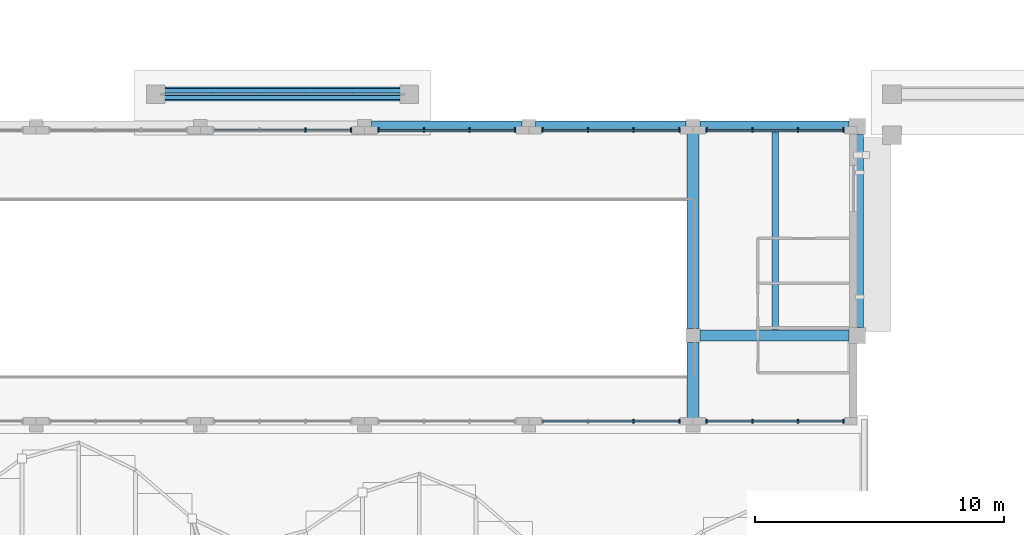
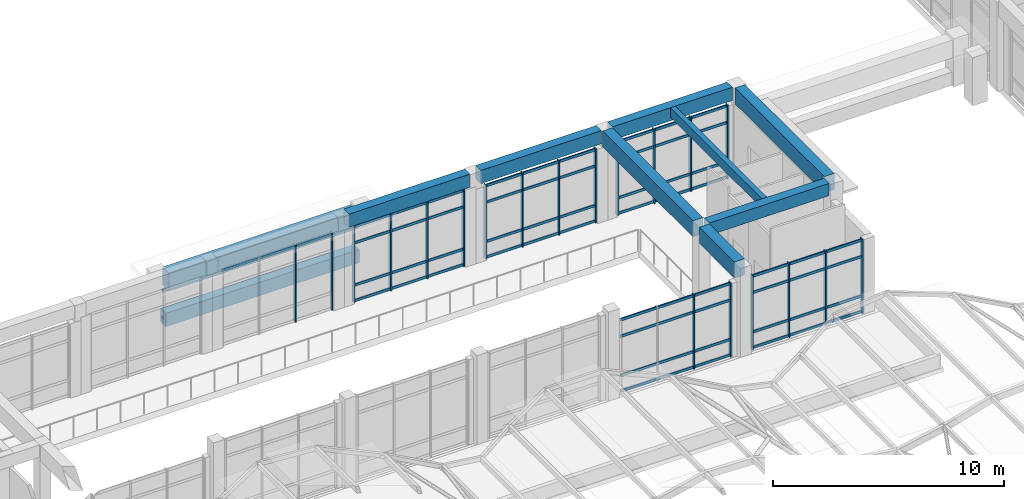
# One storey, part 22 of 79: 43 members, 10 beams, 6 elements without a shape of their own.
"""IFC4 building model written with IfcOpenShell, lengths in metres."""

from ifc_helpers import new_model, si_unit, direction, frame, origin, origin_2d, place, context, subcontext, project, spatial, rectangle, hollow_rectangle, extrude, material, layer, layer_set, material_profile, profile_set, type_object, element, aggregate, save


model = new_model("IFC4")

# Units and contexts
model_context = context("Model", 3, precision=1e-05, world=origin(), true_north=direction((0.0, 1.0)))
body_context = subcontext(model_context, "Body", "Model", "MODEL_VIEW")
ifc_project = project(units=[si_unit("LENGTHUNIT", "METRE"), si_unit("AREAUNIT", "SQUARE_METRE"), si_unit("VOLUMEUNIT", "CUBIC_METRE"), si_unit("PLANEANGLEUNIT", "RADIAN"), si_unit("MASSUNIT", "GRAM", prefix="KILO")], contexts=[model_context])

# Site, building, storey
site_placement = place(None, origin())
site = spatial("IfcSite", under=ifc_project, at=site_placement, CompositionType="ELEMENT")
building_placement = place(site_placement, origin())
building = spatial("IfcBuilding", under=site, at=building_placement, Name="Kolvaren Faculty of Natural Sciences", CompositionType="ELEMENT")
storey_placement = place(building_placement, frame((0.0, 0.0, 10.199951171875)))
storey = spatial("IfcBuildingStorey", under=building, at=storey_placement, Name="L02", CompositionType="ELEMENT", Elevation=10.199951171875)

# Curtain wall, members
ifc_material_1 = material(Name="Thermally broken anodised aluminium framing", Category="aluminium")
ifc_layer = layer(ifc_material_1, 0.179931640625)
ifc_layer_set = layer_set([ifc_layer], Name="Thermally broken anodised aluminium framing")
curtain_wall_type = type_object("IfcCurtainWallType", Name="AtriumCurtainWall_CW01", PredefinedType="NOTDEFINED", material=ifc_layer_set)
curtain_wall_1_placement = place(storey_placement, origin())
curtain_wall_1 = element("IfcCurtainWall", 1, at=curtain_wall_1_placement, inside=storey, type_object=curtain_wall_type, Name="L02 unitised curtain wall CW-01 (CW-L02-119)", PredefinedType="NOTDEFINED")
ifc_material_profile_1 = material_profile(ifc_material_1, rectangle(XDim=0.06005859375, YDim=0.179931640625, at=origin_2d()), Name="ALU MUL 60x180")
ifc_profile_set_1 = profile_set([ifc_material_profile_1], Name="Thermally broken anodised aluminium framing")
member_type_1 = type_object("IfcMemberType", Name="CurtainMullion_60x180", PredefinedType="MULLION", material=ifc_profile_set_1)
member_1_placement = place(storey_placement, frame((105.25, 72.35009765625, 0.0), z_axis=(0.0, 0.0, 1.0), x_axis=(-1.0, 0.0, 0.0)))
member_1 = element("IfcMember", 2, at=member_1_placement, type_object=member_type_1, Name="CW-L02-119 vertical mullion 1", PredefinedType="MULLION", context=body_context, shape_type="SweptSolid", body=[
    extrude(rectangle(XDim=0.06005859375, YDim=0.179931640625, at=origin_2d()), origin(), (0.0, 0.0, 1.0), 3.93505859375),
])
member_2_placement = place(storey_placement, frame((103.416748046875, 72.35009765625, 0.0), z_axis=(0.0, 0.0, 1.0), x_axis=(-1.0, 0.0, 0.0)))
member_2 = element("IfcMember", 3, at=member_2_placement, type_object=member_type_1, Name="CW-L02-119 vertical mullion 2", PredefinedType="MULLION", context=body_context, shape_type="SweptSolid", body=[
    extrude(rectangle(XDim=0.06005859375, YDim=0.179931640625, at=origin_2d()), origin(), (0.0, 0.0, 1.0), 3.93505859375),
])
member_3_placement = place(storey_placement, frame((101.583251953125, 72.35009765625, 0.0), z_axis=(0.0, 0.0, 1.0), x_axis=(-1.0, 0.0, 0.0)))
member_3 = element("IfcMember", 4, at=member_3_placement, type_object=member_type_1, Name="CW-L02-119 vertical mullion 3", PredefinedType="MULLION", context=body_context, shape_type="SweptSolid", body=[
    extrude(rectangle(XDim=0.06005859375, YDim=0.179931640625, at=origin_2d()), origin(), (0.0, 0.0, 1.0), 3.93505859375),
])
member_4_placement = place(storey_placement, frame((99.75, 72.35009765625, 0.0), z_axis=(0.0, 0.0, 1.0), x_axis=(-1.0, 0.0, 0.0)))
member_4 = element("IfcMember", 5, at=member_4_placement, type_object=member_type_1, Name="CW-L02-119 vertical mullion 4", PredefinedType="MULLION", context=body_context, shape_type="SweptSolid", body=[
    extrude(rectangle(XDim=0.06005859375, YDim=0.179931640625, at=origin_2d()), origin(), (0.0, 0.0, 1.0), 3.93505859375),
])

curtain_wall_2_placement = place(storey_placement, origin())
curtain_wall_2 = element("IfcCurtainWall", 6, at=curtain_wall_2_placement, inside=storey, type_object=curtain_wall_type, Name="L02 unitised curtain wall CW-01 (CW-L02-120)", PredefinedType="NOTDEFINED")
member_5_placement = place(storey_placement, frame((98.64990234375, 72.35009765625, 0.0), z_axis=(0.0, 0.0, 1.0), x_axis=(-1.0, 0.0, 0.0)))
member_5 = element("IfcMember", 7, at=member_5_placement, type_object=member_type_1, Name="CW-L02-120 vertical mullion 1", PredefinedType="MULLION", context=body_context, shape_type="SweptSolid", body=[
    extrude(rectangle(XDim=0.06005859375, YDim=0.179931640625, at=origin_2d()), origin(), (0.0, 0.0, 1.0), 3.93505859375),
])
member_6_placement = place(storey_placement, frame((96.816650390625, 72.35009765625, 0.0), z_axis=(0.0, 0.0, 1.0), x_axis=(-1.0, 0.0, 0.0)))
member_6 = element("IfcMember", 8, at=member_6_placement, type_object=member_type_1, Name="CW-L02-120 vertical mullion 2", PredefinedType="MULLION", context=body_context, shape_type="SweptSolid", body=[
    extrude(rectangle(XDim=0.06005859375, YDim=0.179931640625, at=origin_2d()), origin(), (0.0, 0.0, 1.0), 3.93505859375),
])

curtain_wall_3_placement = place(storey_placement, origin())
curtain_wall_3 = element("IfcCurtainWall", 9, at=curtain_wall_3_placement, inside=storey, type_object=curtain_wall_type, Name="L02 unitised curtain wall CW-01 (CW-L02-129)", PredefinedType="NOTDEFINED")
member_7_placement = place(storey_placement, frame((83.61669921875, 84.050048828125, 0.0), z_axis=(0.0, 0.0, 1.0), x_axis=(1.0, 0.0, 0.0)))
member_7 = element("IfcMember", 10, at=member_7_placement, type_object=member_type_1, Name="CW-L02-129 vertical mullion 3", PredefinedType="MULLION", context=body_context, shape_type="SweptSolid", body=[
    extrude(rectangle(XDim=0.06005859375, YDim=0.179931640625, at=origin_2d()), origin(), (0.0, 0.0, 1.0), 4.0849609375),
])
member_8_placement = place(storey_placement, frame((85.449951171875, 84.050048828125, 0.0), z_axis=(0.0, 0.0, 1.0), x_axis=(1.0, 0.0, 0.0)))
member_8 = element("IfcMember", 11, at=member_8_placement, type_object=member_type_1, Name="CW-L02-129 vertical mullion 4", PredefinedType="MULLION", context=body_context, shape_type="SweptSolid", body=[
    extrude(rectangle(XDim=0.06005859375, YDim=0.179931640625, at=origin_2d()), origin(), (0.0, 0.0, 1.0), 4.0849609375),
])

curtain_wall_4_placement = place(storey_placement, origin())
curtain_wall_4 = element("IfcCurtainWall", 12, at=curtain_wall_4_placement, inside=storey, type_object=curtain_wall_type, Name="L02 unitised curtain wall CW-01 (CW-L02-130)", PredefinedType="NOTDEFINED")
member_9_placement = place(storey_placement, frame((86.550048828125, 84.050048828125, 0.0), z_axis=(0.0, 0.0, 1.0), x_axis=(1.0, 0.0, 0.0)))
member_9 = element("IfcMember", 13, at=member_9_placement, type_object=member_type_1, Name="CW-L02-130 vertical mullion 1", PredefinedType="MULLION", context=body_context, shape_type="SweptSolid", body=[
    extrude(rectangle(XDim=0.06005859375, YDim=0.179931640625, at=origin_2d()), origin(), (0.0, 0.0, 1.0), 4.0849609375),
])
member_10_placement = place(storey_placement, frame((88.38330078125, 84.050048828125, 0.0), z_axis=(0.0, 0.0, 1.0), x_axis=(1.0, 0.0, 0.0)))
member_10 = element("IfcMember", 14, at=member_10_placement, type_object=member_type_1, Name="CW-L02-130 vertical mullion 2", PredefinedType="MULLION", context=body_context, shape_type="SweptSolid", body=[
    extrude(rectangle(XDim=0.06005859375, YDim=0.179931640625, at=origin_2d()), origin(), (0.0, 0.0, 1.0), 4.0849609375),
])
member_11_placement = place(storey_placement, frame((90.216796875, 84.050048828125, 0.0), z_axis=(0.0, 0.0, 1.0), x_axis=(1.0, 0.0, 0.0)))
member_11 = element("IfcMember", 15, at=member_11_placement, type_object=member_type_1, Name="CW-L02-130 vertical mullion 3", PredefinedType="MULLION", context=body_context, shape_type="SweptSolid", body=[
    extrude(rectangle(XDim=0.06005859375, YDim=0.179931640625, at=origin_2d()), origin(), (0.0, 0.0, 1.0), 4.0849609375),
])
member_12_placement = place(storey_placement, frame((92.050048828125, 84.050048828125, 0.0), z_axis=(0.0, 0.0, 1.0), x_axis=(1.0, 0.0, 0.0)))
member_12 = element("IfcMember", 16, at=member_12_placement, type_object=member_type_1, Name="CW-L02-130 vertical mullion 4", PredefinedType="MULLION", context=body_context, shape_type="SweptSolid", body=[
    extrude(rectangle(XDim=0.06005859375, YDim=0.179931640625, at=origin_2d()), origin(), (0.0, 0.0, 1.0), 4.0849609375),
])

curtain_wall_5_placement = place(storey_placement, origin())
curtain_wall_5 = element("IfcCurtainWall", 17, at=curtain_wall_5_placement, inside=storey, type_object=curtain_wall_type, Name="L02 unitised curtain wall CW-01 (CW-L02-131)", PredefinedType="NOTDEFINED")
member_13_placement = place(storey_placement, frame((93.14990234375, 84.050048828125, 0.0), z_axis=(0.0, 0.0, 1.0), x_axis=(1.0, 0.0, 0.0)))
member_13 = element("IfcMember", 18, at=member_13_placement, type_object=member_type_1, Name="CW-L02-131 vertical mullion 1", PredefinedType="MULLION", context=body_context, shape_type="SweptSolid", body=[
    extrude(rectangle(XDim=0.06005859375, YDim=0.179931640625, at=origin_2d()), origin(), (0.0, 0.0, 1.0), 3.93505859375),
])
member_14_placement = place(storey_placement, frame((94.9833984375, 84.050048828125, 0.0), z_axis=(0.0, 0.0, 1.0), x_axis=(1.0, 0.0, 0.0)))
member_14 = element("IfcMember", 19, at=member_14_placement, type_object=member_type_1, Name="CW-L02-131 vertical mullion 2", PredefinedType="MULLION", context=body_context, shape_type="SweptSolid", body=[
    extrude(rectangle(XDim=0.06005859375, YDim=0.179931640625, at=origin_2d()), origin(), (0.0, 0.0, 1.0), 3.93505859375),
])
member_15_placement = place(storey_placement, frame((96.816650390625, 84.050048828125, 0.0), z_axis=(0.0, 0.0, 1.0), x_axis=(1.0, 0.0, 0.0)))
member_15 = element("IfcMember", 20, at=member_15_placement, type_object=member_type_1, Name="CW-L02-131 vertical mullion 3", PredefinedType="MULLION", context=body_context, shape_type="SweptSolid", body=[
    extrude(rectangle(XDim=0.06005859375, YDim=0.179931640625, at=origin_2d()), origin(), (0.0, 0.0, 1.0), 3.93505859375),
])
member_16_placement = place(storey_placement, frame((98.64990234375, 84.050048828125, 0.0), z_axis=(0.0, 0.0, 1.0), x_axis=(1.0, 0.0, 0.0)))
member_16 = element("IfcMember", 21, at=member_16_placement, type_object=member_type_1, Name="CW-L02-131 vertical mullion 4", PredefinedType="MULLION", context=body_context, shape_type="SweptSolid", body=[
    extrude(rectangle(XDim=0.06005859375, YDim=0.179931640625, at=origin_2d()), origin(), (0.0, 0.0, 1.0), 3.93505859375),
])

curtain_wall_6_placement = place(storey_placement, origin())
curtain_wall_6 = element("IfcCurtainWall", 22, at=curtain_wall_6_placement, inside=storey, type_object=curtain_wall_type, Name="L02 unitised curtain wall CW-01 (CW-L02-132)", PredefinedType="NOTDEFINED")
member_17_placement = place(storey_placement, frame((99.75, 84.050048828125, 0.0), z_axis=(0.0, 0.0, 1.0), x_axis=(1.0, 0.0, 0.0)))
member_17 = element("IfcMember", 23, at=member_17_placement, type_object=member_type_1, Name="CW-L02-132 vertical mullion 1", PredefinedType="MULLION", context=body_context, shape_type="SweptSolid", body=[
    extrude(rectangle(XDim=0.06005859375, YDim=0.179931640625, at=origin_2d()), origin(), (0.0, 0.0, 1.0), 3.93505859375),
])
member_18_placement = place(storey_placement, frame((101.583251953125, 84.050048828125, 0.0), z_axis=(0.0, 0.0, 1.0), x_axis=(1.0, 0.0, 0.0)))
member_18 = element("IfcMember", 24, at=member_18_placement, type_object=member_type_1, Name="CW-L02-132 vertical mullion 2", PredefinedType="MULLION", context=body_context, shape_type="SweptSolid", body=[
    extrude(rectangle(XDim=0.06005859375, YDim=0.179931640625, at=origin_2d()), origin(), (0.0, 0.0, 1.0), 3.93505859375),
])
member_19_placement = place(storey_placement, frame((103.416748046875, 84.050048828125, 0.0), z_axis=(0.0, 0.0, 1.0), x_axis=(1.0, 0.0, 0.0)))
member_19 = element("IfcMember", 25, at=member_19_placement, type_object=member_type_1, Name="CW-L02-132 vertical mullion 3", PredefinedType="MULLION", context=body_context, shape_type="SweptSolid", body=[
    extrude(rectangle(XDim=0.06005859375, YDim=0.179931640625, at=origin_2d()), origin(), (0.0, 0.0, 1.0), 3.93505859375),
])
member_20_placement = place(storey_placement, frame((105.25, 84.050048828125, 0.0), z_axis=(0.0, 0.0, 1.0), x_axis=(1.0, 0.0, 0.0)))
member_20 = element("IfcMember", 26, at=member_20_placement, type_object=member_type_1, Name="CW-L02-132 vertical mullion 4", PredefinedType="MULLION", context=body_context, shape_type="SweptSolid", body=[
    extrude(rectangle(XDim=0.06005859375, YDim=0.179931640625, at=origin_2d()), origin(), (0.0, 0.0, 1.0), 3.93505859375),
])

# Member
ifc_material_profile_2 = material_profile(ifc_material_1, rectangle(XDim=0.06005859375, YDim=0.139892578125, at=origin_2d()), Name="ALU TRN 60x140")
ifc_profile_set_2 = profile_set([ifc_material_profile_2], Name="Thermally broken anodised aluminium framing")
member_type_2 = type_object("IfcMemberType", Name="CurtainTransom_60x140", PredefinedType="USERDEFINED", material=ifc_profile_set_2)
member_21_placement = place(storey_placement, frame((105.25, 72.35009765625, 0.080078125), z_axis=(-1.0, 0.0, 0.0), x_axis=(0.0, -1.0, 0.0)))
member_21 = element("IfcMember", 27, at=member_21_placement, type_object=member_type_2, Name="CW-L02-119 horizontal transom 1", ObjectType="TRANSOM", PredefinedType="USERDEFINED", context=body_context, shape_type="SweptSolid", body=[
    extrude(rectangle(XDim=0.06005859375, YDim=0.139892578125, at=origin_2d()), origin(), (0.0, 0.0, 1.0), 5.5),
])

member_22_placement = place(storey_placement, frame((105.25, 72.35009765625, 0.900146484375), z_axis=(-1.0, 0.0, 0.0), x_axis=(0.0, -1.0, 0.0)))
member_22 = element("IfcMember", 28, at=member_22_placement, type_object=member_type_2, Name="CW-L02-119 horizontal transom 2", ObjectType="TRANSOM", PredefinedType="USERDEFINED", context=body_context, shape_type="SweptSolid", body=[
    extrude(rectangle(XDim=0.06005859375, YDim=0.139892578125, at=origin_2d()), origin(), (0.0, 0.0, 1.0), 5.5),
])

member_23_placement = place(storey_placement, frame((105.25, 72.35009765625, 2.985107421875), z_axis=(-1.0, 0.0, 0.0), x_axis=(0.0, -1.0, 0.0)))
member_23 = element("IfcMember", 29, at=member_23_placement, type_object=member_type_2, Name="CW-L02-119 horizontal transom 3", ObjectType="TRANSOM", PredefinedType="USERDEFINED", context=body_context, shape_type="SweptSolid", body=[
    extrude(rectangle(XDim=0.06005859375, YDim=0.139892578125, at=origin_2d()), origin(), (0.0, 0.0, 1.0), 5.5),
])

member_24_placement = place(storey_placement, frame((105.25, 72.35009765625, 3.85498046875), z_axis=(-1.0, 0.0, 0.0), x_axis=(0.0, -1.0, 0.0)))
member_24 = element("IfcMember", 30, at=member_24_placement, type_object=member_type_2, Name="CW-L02-119 horizontal transom 4", ObjectType="TRANSOM", PredefinedType="USERDEFINED", context=body_context, shape_type="SweptSolid", body=[
    extrude(rectangle(XDim=0.06005859375, YDim=0.139892578125, at=origin_2d()), origin(), (0.0, 0.0, 1.0), 5.5),
])

aggregate(curtain_wall_1, [member_1, member_2, member_3, member_4, member_21, member_22, member_23, member_24])

member_25_placement = place(storey_placement, frame((98.64990234375, 72.35009765625, 0.080078125), z_axis=(-1.0, 0.0, 0.0), x_axis=(0.0, -1.0, 0.0)))
member_25 = element("IfcMember", 31, at=member_25_placement, type_object=member_type_2, Name="CW-L02-120 horizontal transom 1", ObjectType="TRANSOM", PredefinedType="USERDEFINED", context=body_context, shape_type="SweptSolid", body=[
    extrude(rectangle(XDim=0.06005859375, YDim=0.139892578125, at=origin_2d()), origin(), (0.0, 0.0, 1.0), 5.5),
])

member_26_placement = place(storey_placement, frame((98.64990234375, 72.35009765625, 0.900146484375), z_axis=(-1.0, 0.0, 0.0), x_axis=(0.0, -1.0, 0.0)))
member_26 = element("IfcMember", 32, at=member_26_placement, type_object=member_type_2, Name="CW-L02-120 horizontal transom 2", ObjectType="TRANSOM", PredefinedType="USERDEFINED", context=body_context, shape_type="SweptSolid", body=[
    extrude(rectangle(XDim=0.06005859375, YDim=0.139892578125, at=origin_2d()), origin(), (0.0, 0.0, 1.0), 5.5),
])

member_27_placement = place(storey_placement, frame((98.64990234375, 72.35009765625, 2.985107421875), z_axis=(-1.0, 0.0, 0.0), x_axis=(0.0, -1.0, 0.0)))
member_27 = element("IfcMember", 33, at=member_27_placement, type_object=member_type_2, Name="CW-L02-120 horizontal transom 3", ObjectType="TRANSOM", PredefinedType="USERDEFINED", context=body_context, shape_type="SweptSolid", body=[
    extrude(rectangle(XDim=0.06005859375, YDim=0.139892578125, at=origin_2d()), origin(), (0.0, 0.0, 1.0), 5.5),
])

member_28_placement = place(storey_placement, frame((98.64990234375, 72.35009765625, 3.85498046875), z_axis=(-1.0, 0.0, 0.0), x_axis=(0.0, -1.0, 0.0)))
member_28 = element("IfcMember", 34, at=member_28_placement, type_object=member_type_2, Name="CW-L02-120 horizontal transom 4", ObjectType="TRANSOM", PredefinedType="USERDEFINED", context=body_context, shape_type="SweptSolid", body=[
    extrude(rectangle(XDim=0.06005859375, YDim=0.139892578125, at=origin_2d()), origin(), (0.0, 0.0, 1.0), 5.5),
])

aggregate(curtain_wall_2, [member_5, member_6, member_25, member_26, member_27, member_28])

member_29_placement = place(storey_placement, frame((79.949951171875, 84.050048828125, 4.005126953125), z_axis=(1.0, 0.0, 0.0), x_axis=(0.0, 1.0, 0.0)))
member_29 = element("IfcMember", 35, at=member_29_placement, type_object=member_type_2, Name="CW-L02-129 horizontal transom 4", ObjectType="TRANSOM", PredefinedType="USERDEFINED", context=body_context, shape_type="SweptSolid", body=[
    extrude(rectangle(XDim=0.06005859375, YDim=0.139892578125, at=origin_2d()), origin(), (0.0, 0.0, 1.0), 5.5),
])

aggregate(curtain_wall_3, [member_7, member_8, member_29])

member_30_placement = place(storey_placement, frame((86.550048828125, 84.050048828125, 0.080078125), z_axis=(1.0, 0.0, 0.0), x_axis=(0.0, 1.0, 0.0)))
member_30 = element("IfcMember", 36, at=member_30_placement, type_object=member_type_2, Name="CW-L02-130 horizontal transom 1", ObjectType="TRANSOM", PredefinedType="USERDEFINED", context=body_context, shape_type="SweptSolid", body=[
    extrude(rectangle(XDim=0.06005859375, YDim=0.139892578125, at=origin_2d()), origin(), (0.0, 0.0, 1.0), 5.5),
])

member_31_placement = place(storey_placement, frame((86.550048828125, 84.050048828125, 0.900146484375), z_axis=(1.0, 0.0, 0.0), x_axis=(0.0, 1.0, 0.0)))
member_31 = element("IfcMember", 37, at=member_31_placement, type_object=member_type_2, Name="CW-L02-130 horizontal transom 2", ObjectType="TRANSOM", PredefinedType="USERDEFINED", context=body_context, shape_type="SweptSolid", body=[
    extrude(rectangle(XDim=0.06005859375, YDim=0.139892578125, at=origin_2d()), origin(), (0.0, 0.0, 1.0), 5.5),
])

member_32_placement = place(storey_placement, frame((86.550048828125, 84.050048828125, 3.135009765625), z_axis=(1.0, 0.0, 0.0), x_axis=(0.0, 1.0, 0.0)))
member_32 = element("IfcMember", 38, at=member_32_placement, type_object=member_type_2, Name="CW-L02-130 horizontal transom 3", ObjectType="TRANSOM", PredefinedType="USERDEFINED", context=body_context, shape_type="SweptSolid", body=[
    extrude(rectangle(XDim=0.06005859375, YDim=0.139892578125, at=origin_2d()), origin(), (0.0, 0.0, 1.0), 5.5),
])

member_33_placement = place(storey_placement, frame((86.550048828125, 84.050048828125, 4.005126953125), z_axis=(1.0, 0.0, 0.0), x_axis=(0.0, 1.0, 0.0)))
member_33 = element("IfcMember", 39, at=member_33_placement, type_object=member_type_2, Name="CW-L02-130 horizontal transom 4", ObjectType="TRANSOM", PredefinedType="USERDEFINED", context=body_context, shape_type="SweptSolid", body=[
    extrude(rectangle(XDim=0.06005859375, YDim=0.139892578125, at=origin_2d()), origin(), (0.0, 0.0, 1.0), 5.5),
])

aggregate(curtain_wall_4, [member_9, member_10, member_11, member_12, member_30, member_31, member_32, member_33])

member_34_placement = place(storey_placement, frame((93.14990234375, 84.050048828125, 0.080078125), z_axis=(1.0, 0.0, 0.0), x_axis=(0.0, 1.0, 0.0)))
member_34 = element("IfcMember", 40, at=member_34_placement, type_object=member_type_2, Name="CW-L02-131 horizontal transom 1", ObjectType="TRANSOM", PredefinedType="USERDEFINED", context=body_context, shape_type="SweptSolid", body=[
    extrude(rectangle(XDim=0.06005859375, YDim=0.139892578125, at=origin_2d()), origin(), (0.0, 0.0, 1.0), 5.5),
])

member_35_placement = place(storey_placement, frame((93.14990234375, 84.050048828125, 0.900146484375), z_axis=(1.0, 0.0, 0.0), x_axis=(0.0, 1.0, 0.0)))
member_35 = element("IfcMember", 41, at=member_35_placement, type_object=member_type_2, Name="CW-L02-131 horizontal transom 2", ObjectType="TRANSOM", PredefinedType="USERDEFINED", context=body_context, shape_type="SweptSolid", body=[
    extrude(rectangle(XDim=0.06005859375, YDim=0.139892578125, at=origin_2d()), origin(), (0.0, 0.0, 1.0), 5.5),
])

member_36_placement = place(storey_placement, frame((93.14990234375, 84.050048828125, 2.985107421875), z_axis=(1.0, 0.0, 0.0), x_axis=(0.0, 1.0, 0.0)))
member_36 = element("IfcMember", 42, at=member_36_placement, type_object=member_type_2, Name="CW-L02-131 horizontal transom 3", ObjectType="TRANSOM", PredefinedType="USERDEFINED", context=body_context, shape_type="SweptSolid", body=[
    extrude(rectangle(XDim=0.06005859375, YDim=0.139892578125, at=origin_2d()), origin(), (0.0, 0.0, 1.0), 5.5),
])

member_37_placement = place(storey_placement, frame((93.14990234375, 84.050048828125, 3.85498046875), z_axis=(1.0, 0.0, 0.0), x_axis=(0.0, 1.0, 0.0)))
member_37 = element("IfcMember", 43, at=member_37_placement, type_object=member_type_2, Name="CW-L02-131 horizontal transom 4", ObjectType="TRANSOM", PredefinedType="USERDEFINED", context=body_context, shape_type="SweptSolid", body=[
    extrude(rectangle(XDim=0.06005859375, YDim=0.139892578125, at=origin_2d()), origin(), (0.0, 0.0, 1.0), 5.5),
])

aggregate(curtain_wall_5, [member_13, member_14, member_15, member_16, member_34, member_35, member_36, member_37])

member_38_placement = place(storey_placement, frame((99.75, 84.050048828125, 0.080078125), z_axis=(1.0, 0.0, 0.0), x_axis=(0.0, 1.0, 0.0)))
member_38 = element("IfcMember", 44, at=member_38_placement, type_object=member_type_2, Name="CW-L02-132 horizontal transom 1", ObjectType="TRANSOM", PredefinedType="USERDEFINED", context=body_context, shape_type="SweptSolid", body=[
    extrude(rectangle(XDim=0.06005859375, YDim=0.139892578125, at=origin_2d()), origin(), (0.0, 0.0, 1.0), 5.5),
])

member_39_placement = place(storey_placement, frame((99.75, 84.050048828125, 0.900146484375), z_axis=(1.0, 0.0, 0.0), x_axis=(0.0, 1.0, 0.0)))
member_39 = element("IfcMember", 45, at=member_39_placement, type_object=member_type_2, Name="CW-L02-132 horizontal transom 2", ObjectType="TRANSOM", PredefinedType="USERDEFINED", context=body_context, shape_type="SweptSolid", body=[
    extrude(rectangle(XDim=0.06005859375, YDim=0.139892578125, at=origin_2d()), origin(), (0.0, 0.0, 1.0), 5.5),
])

member_40_placement = place(storey_placement, frame((99.75, 84.050048828125, 2.985107421875), z_axis=(1.0, 0.0, 0.0), x_axis=(0.0, 1.0, 0.0)))
member_40 = element("IfcMember", 46, at=member_40_placement, type_object=member_type_2, Name="CW-L02-132 horizontal transom 3", ObjectType="TRANSOM", PredefinedType="USERDEFINED", context=body_context, shape_type="SweptSolid", body=[
    extrude(rectangle(XDim=0.06005859375, YDim=0.139892578125, at=origin_2d()), origin(), (0.0, 0.0, 1.0), 5.5),
])

member_41_placement = place(storey_placement, frame((99.75, 84.050048828125, 3.85498046875), z_axis=(1.0, 0.0, 0.0), x_axis=(0.0, 1.0, 0.0)))
member_41 = element("IfcMember", 47, at=member_41_placement, type_object=member_type_2, Name="CW-L02-132 horizontal transom 4", ObjectType="TRANSOM", PredefinedType="USERDEFINED", context=body_context, shape_type="SweptSolid", body=[
    extrude(rectangle(XDim=0.06005859375, YDim=0.139892578125, at=origin_2d()), origin(), (0.0, 0.0, 1.0), 5.5),
])

aggregate(curtain_wall_6, [member_17, member_18, member_19, member_20, member_38, member_39, member_40, member_41])

# Beams
ifc_material_2 = material(Name="Concrete C35/45", Category="concrete")
ifc_material_profile_3 = material_profile(ifc_material_2, rectangle(XDim=0.449951171875, YDim=0.64990234375, at=origin_2d()), Name="RC BM 450x650")
ifc_profile_set_3 = profile_set([ifc_material_profile_3], Name="Concrete C35/45")
beam_type_1 = type_object("IfcBeamType", Name="GridBeam_450x650", PredefinedType="BEAM", material=ifc_profile_set_3)
beam_1_placement = place(storey_placement, frame((99.47509765625, 75.800048828125, 4.47509765625), z_axis=(1.0, 0.0, 0.0), x_axis=(0.0, 1.0, 0.0)))
element("IfcBeam", 48, at=beam_1_placement, inside=storey, type_object=beam_type_1, Name="L02 beam BM-65 on grid K", PredefinedType="BEAM", context=body_context, shape_type="SweptSolid", body=[
    extrude(rectangle(XDim=0.449951171875, YDim=0.64990234375, at=origin_2d()), origin(), (0.0, 0.0, 1.0), 6.0),
])
ifc_material_3 = material(Name="Concrete C40/50", Category="concrete")
ifc_material_profile_4 = material_profile(ifc_material_3, rectangle(XDim=0.550048828125, YDim=0.949951171875, at=origin_2d()), Name="RC BM 550x950")
ifc_profile_set_4 = profile_set([ifc_material_profile_4], Name="Concrete C40/50")
beam_type_2 = type_object("IfcBeamType", Name="HallGirder_550x950", PredefinedType="BEAM", material=ifc_profile_set_4)
beam_2_placement = place(storey_placement, frame((77.97998046875, 85.5, 3.35009765625), z_axis=(1.0, 0.0, 0.0), x_axis=(0.0, 1.0, 0.0)))
element("IfcBeam", 49, at=beam_2_placement, inside=storey, type_object=beam_type_2, Name="North Civic Square Grand Atrium Pishtaq Portal monumental portal lintel girder", PredefinedType="BEAM", context=body_context, shape_type="SweptSolid", body=[
    extrude(rectangle(XDim=0.550048828125, YDim=0.949951171875, at=origin_2d()), origin(), (0.0, 0.0, 1.0), 9.43994140625),
])
ifc_material_profile_5 = material_profile(ifc_material_2, rectangle(XDim=0.260009765625, YDim=0.5, at=origin_2d()), Name="RC JST 260x500")
ifc_profile_set_5 = profile_set([ifc_material_profile_5], Name="Concrete C35/45")
beam_type_3 = type_object("IfcBeamType", Name="LabRibJoist_260x500", PredefinedType="JOIST", material=ifc_profile_set_5)
beam_3_placement = place(storey_placement, frame((102.5, 76.02490234375, 4.550048828125), z_axis=(0.0, 1.0, 0.0), x_axis=(-1.0, 0.0, 0.0)))
element("IfcBeam", 50, at=beam_3_placement, inside=storey, type_object=beam_type_3, Name="L02 ribbed laboratory slab joist JS-50", PredefinedType="JOIST", context=body_context, shape_type="SweptSolid", body=[
    extrude(rectangle(XDim=0.260009765625, YDim=0.5, at=origin_2d()), origin(), (0.0, 0.0, 1.0), 7.9501953125),
])
ifc_material_profile_6 = material_profile(ifc_material_2, rectangle(XDim=0.449951171875, YDim=0.699951171875, at=origin_2d()), Name="RC SP 450x700")
ifc_profile_set_6 = profile_set([ifc_material_profile_6], Name="Concrete C35/45")
beam_type_4 = type_object("IfcBeamType", Name="PerimeterSpandrel_450x700", PredefinedType="SPANDREL", material=ifc_profile_set_6)
beam_4_placement = place(storey_placement, frame((77.85009765625, 85.5, 1.35009765625), z_axis=(1.0, 0.0, 0.0), x_axis=(0.0, 1.0, 0.0)))
element("IfcBeam", 51, at=beam_4_placement, inside=storey, type_object=beam_type_4, Name="North Civic Square Grand Atrium Pishtaq Portal pointed-arch crown spandrel beam", PredefinedType="SPANDREL", context=body_context, shape_type="SweptSolid", body=[
    extrude(rectangle(XDim=0.449951171875, YDim=0.699951171875, at=origin_2d()), origin(), (0.0, 0.0, 1.0), 9.699951171875),
])
for number, where, z_axis, x_axis, name in (
    (52, (86.27490234375, 84.199951171875, 4.449951171875), (1.0, 0.0, 0.0), (0.0, 1.0, 0.0), "L02 spandrel SP-70 on grid L"),
    (53, (92.875, 84.199951171875, 4.449951171875), (1.0, 0.0, 0.0), (0.0, 1.0, 0.0), "L02 spandrel SP-70 on grid L"),
):
    element("IfcBeam", number, at=place(storey_placement, frame(where, z_axis=z_axis, x_axis=x_axis)), inside=storey, type_object=beam_type_4, Name=name, PredefinedType="SPANDREL", context=body_context, shape_type="SweptSolid", body=[
        extrude(rectangle(XDim=0.449951171875, YDim=0.699951171875, at=origin_2d()), origin(), (0.0, 0.0, 1.0), 6.050048828125),
    ])
beam_5_placement = place(storey_placement, frame((99.47509765625, 84.199951171875, 4.449951171875), z_axis=(1.0, 0.0, 0.0), x_axis=(0.0, 1.0, 0.0)))
element("IfcBeam", 54, at=beam_5_placement, inside=storey, type_object=beam_type_4, Name="L02 spandrel SP-70 on grid L", PredefinedType="SPANDREL", context=body_context, shape_type="SweptSolid", body=[
    extrude(rectangle(XDim=0.449951171875, YDim=0.699951171875, at=origin_2d()), origin(), (0.0, 0.0, 1.0), 6.0),
])
ifc_material_profile_7 = material_profile(ifc_material_2, rectangle(XDim=0.5, YDim=0.85009765625, at=origin_2d()), Name="RC BM 500x850")
ifc_profile_set_7 = profile_set([ifc_material_profile_7], Name="Concrete C35/45")
beam_type_5 = type_object("IfcBeamType", Name="PrimaryGirder_500x850", PredefinedType="BEAM", material=ifc_profile_set_7)
beam_6_placement = place(storey_placement, frame((99.199951171875, 72.47509765625, 4.375), z_axis=(0.0, 1.0, 0.0), x_axis=(-1.0, 0.0, 0.0)))
element("IfcBeam", 55, at=beam_6_placement, inside=storey, type_object=beam_type_5, Name="L02 girder BG-85 on grid 16", PredefinedType="BEAM", context=body_context, shape_type="SweptSolid", body=[
    extrude(rectangle(XDim=0.5, YDim=0.85009765625, at=origin_2d()), origin(), (0.0, 0.0, 1.0), 3.0498046875),
])
beam_7_placement = place(storey_placement, frame((99.199951171875, 76.074951171875, 4.375), z_axis=(0.0, 1.0, 0.0), x_axis=(-1.0, 0.0, 0.0)))
element("IfcBeam", 56, at=beam_7_placement, inside=storey, type_object=beam_type_5, Name="L02 girder BG-85 on grid 16", PredefinedType="BEAM", context=body_context, shape_type="SweptSolid", body=[
    extrude(rectangle(XDim=0.5, YDim=0.85009765625, at=origin_2d()), origin(), (0.0, 0.0, 1.0), 7.85009765625),
])
beam_8_placement = place(storey_placement, frame((105.800048828125, 76.125, 4.375), z_axis=(0.0, 1.0, 0.0), x_axis=(-1.0, 0.0, 0.0)))
element("IfcBeam", 57, at=beam_8_placement, inside=storey, type_object=beam_type_5, Name="L02 girder BG-85 on grid 17", PredefinedType="BEAM", context=body_context, shape_type="SweptSolid", body=[
    extrude(rectangle(XDim=0.5, YDim=0.85009765625, at=origin_2d()), origin(), (0.0, 0.0, 1.0), 7.75),
])

# Members
ifc_material_4 = material(Name="Structural steel EN 10210-1 S355J2H", Category="steel")
ifc_material_profile_8 = material_profile(ifc_material_4, hollow_rectangle(XDim=0.10009765625, YDim=0.14990234375, WallThickness=0.00634765625, at=origin_2d()), Name="RHS 150x100x6.3")
ifc_profile_set_8 = profile_set([ifc_material_profile_8], Name="Structural steel EN 10210-1 S355J2H")
member_type_3 = type_object("IfcMemberType", Name="ScreenRailMember_RHS150", PredefinedType="MEMBER", material=ifc_profile_set_8)
for number, where, z_axis, x_axis, name in (
    (58, (77.800048828125, 85.5, 1.35009765625), (1.0, 0.0, 0.0), (0.0, 1.0, 0.0), "North Civic Square Grand Atrium Pishtaq Portal jali tympanum rail BOT"),
    (59, (77.800048828125, 85.5, 2.800048828125), (1.0, 0.0, 0.0), (0.0, 1.0, 0.0), "North Civic Square Grand Atrium Pishtaq Portal jali tympanum rail TOP"),
):
    element("IfcMember", number, at=place(storey_placement, frame(where, z_axis=z_axis, x_axis=x_axis)), inside=storey, type_object=member_type_3, Name=name, PredefinedType="MEMBER", context=body_context, shape_type="SweptSolid", body=[
        extrude(hollow_rectangle(XDim=0.10009765625, YDim=0.14990234375, WallThickness=0.00634765625, at=origin_2d()), origin(), (0.0, 0.0, 1.0), 9.800048828125),
    ])

save(model, "model.ifc")
